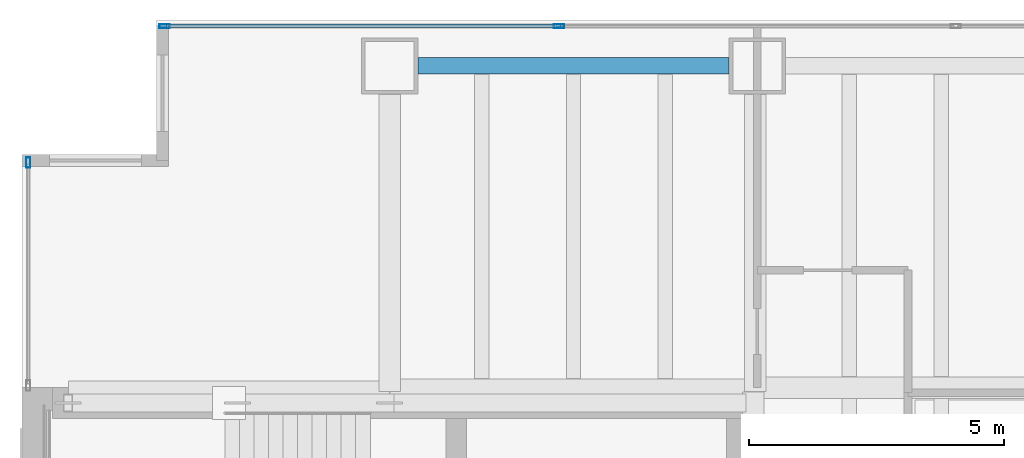
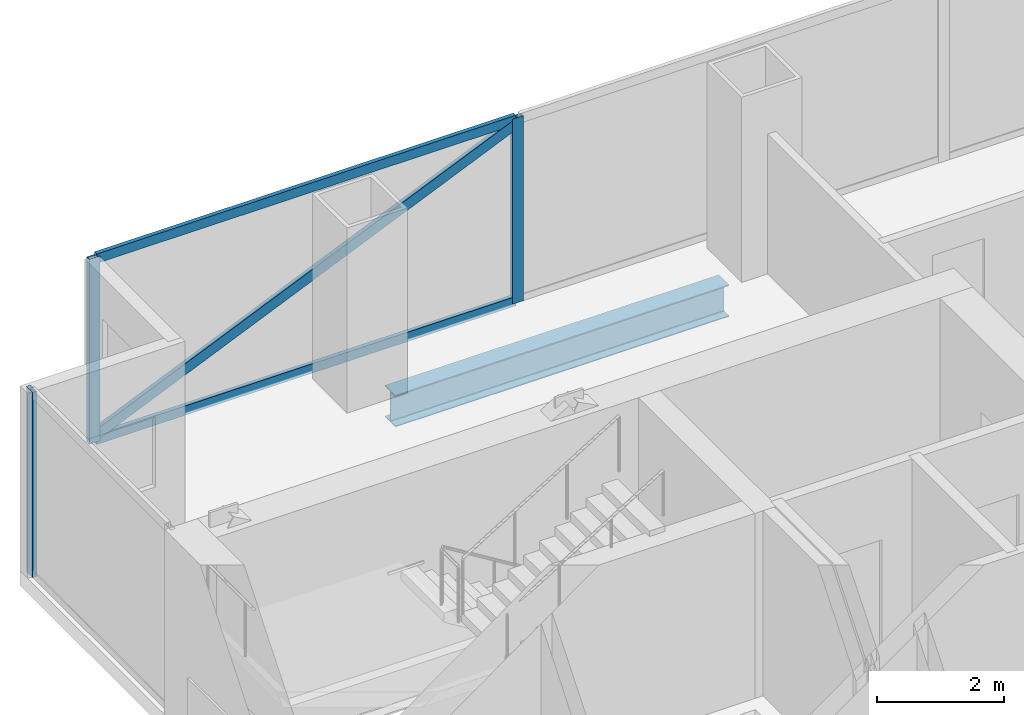
# One storey, part 16 of 25: 6 members, 1 beam, 2 elements without a shape of their own.
"""IFC4 building model written with IfcOpenShell, lengths in metres."""

from ifc_helpers import new_model, si_unit, direction, frame, origin, origin_2d, place, context, subcontext, project, spatial, hollow_rectangle, i_section, extrude, material, material_profile, profile_set, type_object, element, aggregate, save


model = new_model("IFC4")

# Units and contexts
model_context = context("Model", 3, precision=1e-05, world=origin(), true_north=direction((0.0, 1.0)))
body_context = subcontext(model_context, "Body", "Model", "MODEL_VIEW")
ifc_project = project(units=[si_unit("LENGTHUNIT", "METRE"), si_unit("AREAUNIT", "SQUARE_METRE"), si_unit("VOLUMEUNIT", "CUBIC_METRE"), si_unit("PLANEANGLEUNIT", "RADIAN"), si_unit("MASSUNIT", "GRAM", prefix="KILO")], contexts=[model_context])

# Site, building, storey
site_placement = place(None, origin())
site = spatial("IfcSite", under=ifc_project, at=site_placement, CompositionType="ELEMENT")
building_placement = place(site_placement, origin())
building = spatial("IfcBuilding", under=site, at=building_placement, Name="Cobrela Telecom Tower", CompositionType="ELEMENT")
storey_placement = place(building_placement, frame((0.0, 0.0, 42.699951171875)))
storey = spatial("IfcBuildingStorey", under=building, at=storey_placement, Name="L10", CompositionType="ELEMENT", Elevation=42.699951171875)

# Beam
ifc_material_1 = material(Name="Steel ASTM A992 Grade 50", Category="steel")
ifc_material_profile_1 = material_profile(ifc_material_1, i_section(OverallWidth=0.324951171875, OverallDepth=0.612060546875, WebThickness=0.0126953125, FlangeThickness=0.01904296875, FilletRadius=0.014892578125, at=origin_2d()), Name="W24X104")
ifc_profile_set_1 = profile_set([ifc_material_profile_1], Name="Steel ASTM A992 Grade 50")
beam_type = type_object("IfcBeamType", Name="BM-SPAND-02", PredefinedType="SPANDREL", material=ifc_profile_set_1)
beam_placement = place(storey_placement, frame((7.7548828125, 42.300048828125, -0.5859375), z_axis=(1.0, 0.0, 0.0), x_axis=(0.0, 1.0, 0.0)))
element("IfcBeam", 1, at=beam_placement, inside=storey, type_object=beam_type, Name="L10 Perimeter Spandrel X29", PredefinedType="SPANDREL", context=body_context, shape_type="SweptSolid", body=[
    extrude(i_section(OverallWidth=0.324951171875, OverallDepth=0.612060546875, WebThickness=0.0126953125, FlangeThickness=0.01904296875, FilletRadius=0.014892578125, at=origin_2d()), origin(), (0.0, 0.0, 1.0), 6.090087890625),
])

# Curtain wall, member
ifc_material_2 = material(Name="Anodized Bronze Aluminium 6063-T6", Category="aluminium")
curtain_wall_type = type_object("IfcCurtainWallType", Name="CW-SYS-DATA", PredefinedType="USERDEFINED", material=ifc_material_2)
curtain_wall_1_placement = place(storey_placement, origin())
curtain_wall_1 = element("IfcCurtainWall", 2, at=curtain_wall_1_placement, inside=storey, type_object=curtain_wall_type, Name="L10 Unitised Bronze Curtain Wall 04", ObjectType="UNITISED CURTAIN WALL", PredefinedType="USERDEFINED")
ifc_material_profile_2 = material_profile(ifc_material_2, hollow_rectangle(XDim=0.080078125, YDim=0.199951171875, WallThickness=0.00390625, at=origin_2d()), Name="ALU 80x200x4")
ifc_profile_set_2 = profile_set([ifc_material_profile_2], Name="Anodized Bronze Aluminium 6063-T6")
member_type_1 = type_object("IfcMemberType", Name="CW-SYS-DATA-MUL", PredefinedType="MULLION", material=ifc_profile_set_2)
member_1_placement = place(storey_placement, frame((0.1201171875, 40.409912109375, 0.0), z_axis=(0.0, 0.0, 1.0), x_axis=(-1.0, 0.0, 0.0)))
member_1 = element("IfcMember", 3, at=member_1_placement, type_object=member_type_1, Name="CW-DATA mullion 2", PredefinedType="MULLION", context=body_context, shape_type="SweptSolid", body=[
    extrude(hollow_rectangle(XDim=0.080078125, YDim=0.199951171875, WallThickness=0.00390625, at=origin_2d()), origin(), (0.0, 0.0, 1.0), 3.570068359375),
])
aggregate(curtain_wall_1, [member_1])

# Curtain wall, members
curtain_wall_2_placement = place(storey_placement, origin())
curtain_wall_2 = element("IfcCurtainWall", 4, at=curtain_wall_2_placement, inside=storey, type_object=curtain_wall_type, Name="L10 Unitised Bronze Curtain Wall 07", ObjectType="UNITISED CURTAIN WALL", PredefinedType="USERDEFINED")
member_2_placement = place(storey_placement, frame((2.7900390625, 43.080078125, 0.0), z_axis=(0.0, 0.0, 1.0), x_axis=(0.0, 1.0, 0.0)))
member_2 = element("IfcMember", 5, at=member_2_placement, type_object=member_type_1, Name="CW-DATA mullion 1", PredefinedType="MULLION", context=body_context, shape_type="SweptSolid", body=[
    extrude(hollow_rectangle(XDim=0.080078125, YDim=0.199951171875, WallThickness=0.00390625, at=origin_2d()), origin(), (0.0, 0.0, 1.0), 3.570068359375),
])
member_3_placement = place(storey_placement, frame((10.5166015625, 43.080078125, 0.0), z_axis=(0.0, 0.0, 1.0), x_axis=(0.0, 1.0, 0.0)))
member_3 = element("IfcMember", 6, at=member_3_placement, type_object=member_type_1, Name="CW-DATA mullion 2", PredefinedType="MULLION", context=body_context, shape_type="SweptSolid", body=[
    extrude(hollow_rectangle(XDim=0.080078125, YDim=0.199951171875, WallThickness=0.00390625, at=origin_2d()), origin(), (0.0, 0.0, 1.0), 3.570068359375),
])
member_4_placement = place(storey_placement, frame((2.75, 43.080078125, 0.10009765625), z_axis=(0.917368257238, 0.0, 0.398039546544), x_axis=(0.0, 1.0, 0.0)))
member_4 = element("IfcMember", 7, at=member_4_placement, type_object=member_type_1, Name="L10 Faceted Curtain Wall Diagonal Glazing Mullion", PredefinedType="MULLION", context=body_context, shape_type="SweptSolid", body=[
    extrude(hollow_rectangle(XDim=0.080078125, YDim=0.199951171875, WallThickness=0.00390625, at=origin_2d()), origin(), (0.0, 0.0, 1.0), 8.466064453125),
])
ifc_material_profile_3 = material_profile(ifc_material_2, hollow_rectangle(XDim=0.074951171875, YDim=0.179931640625, WallThickness=0.00390625, at=origin_2d()), Name="ALU 75x180x4")
ifc_profile_set_3 = profile_set([ifc_material_profile_3], Name="Anodized Bronze Aluminium 6063-T6")
member_type_2 = type_object("IfcMemberType", Name="CW-SYS-DATA-TRN", PredefinedType="USERDEFINED", material=ifc_profile_set_3)
member_5_placement = place(storey_placement, frame((2.830078125, 43.080078125, 0.03759765625), z_axis=(1.0, 0.0, 0.0), x_axis=(0.0, 1.0, 0.0)))
member_5 = element("IfcMember", 8, at=member_5_placement, type_object=member_type_2, Name="CW-DATA transom 1.1", ObjectType="TRANSOM", PredefinedType="USERDEFINED", context=body_context, shape_type="SweptSolid", body=[
    extrude(hollow_rectangle(XDim=0.074951171875, YDim=0.179931640625, WallThickness=0.00390625, at=origin_2d()), origin(), (0.0, 0.0, 1.0), 7.646484375),
])
member_6_placement = place(storey_placement, frame((2.830078125, 43.080078125, 3.532470703125), z_axis=(1.0, 0.0, 0.0), x_axis=(0.0, 1.0, 0.0)))
member_6 = element("IfcMember", 9, at=member_6_placement, type_object=member_type_2, Name="CW-DATA transom 1.2", ObjectType="TRANSOM", PredefinedType="USERDEFINED", context=body_context, shape_type="SweptSolid", body=[
    extrude(hollow_rectangle(XDim=0.074951171875, YDim=0.179931640625, WallThickness=0.00390625, at=origin_2d()), origin(), (0.0, 0.0, 1.0), 7.646484375),
])
aggregate(curtain_wall_2, [member_2, member_3, member_5, member_6, member_4])

save(model, "model.ifc")
